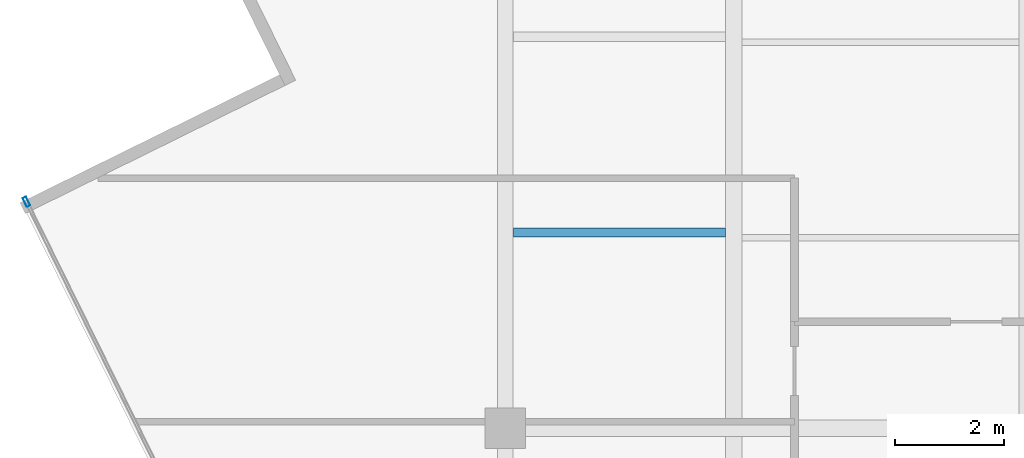
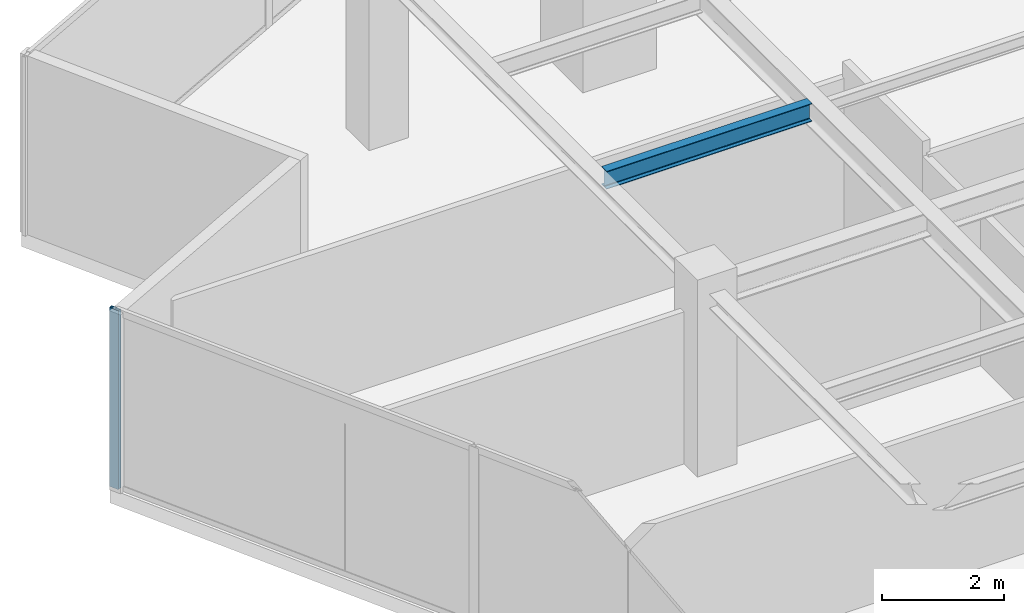
# One storey, part 6 of 22: 1 beam, 1 member, 1 element without a shape of its own.
"""IFC4 building model written with IfcOpenShell, lengths in metres."""

from ifc_helpers import new_model, si_unit, direction, frame, origin, origin_2d, place, context, subcontext, project, spatial, hollow_rectangle, i_section, extrude, source, transform, mapped, material, material_profile, profile_set, type_object, type_shapes, element, aggregate, save


model = new_model("IFC4")

# Units and contexts
model_context = context("Model", 3, precision=1e-05, world=origin(), true_north=direction((0.0, 1.0)))
body_context = subcontext(model_context, "Body", "Model", "MODEL_VIEW")
ifc_project = project(units=[si_unit("LENGTHUNIT", "METRE"), si_unit("AREAUNIT", "SQUARE_METRE"), si_unit("VOLUMEUNIT", "CUBIC_METRE"), si_unit("PLANEANGLEUNIT", "RADIAN"), si_unit("MASSUNIT", "GRAM", prefix="KILO")], contexts=[model_context])

# Site, building, storey
site_placement = place(None, origin())
site = spatial("IfcSite", under=ifc_project, at=site_placement, CompositionType="ELEMENT")
building_placement = place(site_placement, origin())
building = spatial("IfcBuilding", under=site, at=building_placement, Name="Krantzveldt Concourse Tower", CompositionType="ELEMENT")
storey_placement = place(building_placement, frame((0.0, 0.0, 314.800048828125)))
storey = spatial("IfcBuildingStorey", under=building, at=storey_placement, Name="L77", CompositionType="ELEMENT", Elevation=314.800048828125)

# Beam
ifc_material_1 = material(Name="Steel S355JR", Category="steel")
ifc_material_profile_1 = material_profile(ifc_material_1, i_section(OverallWidth=0.169921875, OverallDepth=0.360107421875, WebThickness=0.008056640625, FlangeThickness=0.0126953125, FilletRadius=0.01806640625, at=origin_2d()), Name="Steel S355JR", Category="steel")
ifc_profile_set_1 = profile_set([ifc_material_profile_1], Name="Steel S355JR - IPE 360")
beam_type = type_object("IfcBeamType", Name="BM-J-IPE360", PredefinedType="JOIST", material=ifc_profile_set_1)
shared_shape_1 = source(origin(), body_context, "Body", "SweptSolid", [
    extrude(i_section(OverallWidth=0.169921875, OverallDepth=0.360107421875, WebThickness=0.008056640625, FlangeThickness=0.0126953125, FilletRadius=0.01806640625, at=origin_2d()), origin(), (0.0, 0.0, 1.0), 3.900146484375),
])
type_shapes(beam_type, [shared_shape_1])
beam_placement = place(storey_placement, frame((21.14990234375, 30.300048828125, 3.409912109375), z_axis=(1.0, 0.0, 0.0), x_axis=(0.0, 1.0, 0.0)))
element("IfcBeam", 1, at=beam_placement, inside=storey, type_object=beam_type, Name="L77 Secondary Floor Joist JW-3", PredefinedType="JOIST", context=body_context, shape_type="MappedRepresentation", body=[
    mapped(shared_shape_1, transform((0.0, 0.0, 0.0), x_axis=(1.0, 0.0, 0.0), y_axis=(0.0, 1.0, 0.0), z_axis=(0.0, 0.0, 1.0), scale=1.0)),
])

# Curtain wall, member
ifc_material_2 = material(Name="Anodised aluminium 6063-T6", Category="aluminium")
curtain_wall_type = type_object("IfcCurtainWallType", Name="CW4", PredefinedType="USERDEFINED", material=ifc_material_2)
curtain_wall_placement = place(storey_placement, origin())
curtain_wall = element("IfcCurtainWall", 2, at=curtain_wall_placement, inside=storey, type_object=curtain_wall_type, Name="CW-L77-F04", ObjectType="UNITISED CURTAIN WALL", PredefinedType="USERDEFINED")
ifc_material_profile_2 = material_profile(ifc_material_2, hollow_rectangle(XDim=0.070068359375, YDim=0.179931640625, WallThickness=0.0048828125, at=origin_2d()), Name="Anodised aluminium 6063-T6", Category="aluminium")
ifc_profile_set_2 = profile_set([ifc_material_profile_2], Name="Anodised aluminium 6063-T6 - ALU-MULL 180x70x5")
member_type = type_object("IfcMemberType", Name="CW-MUL-180", PredefinedType="MULLION", material=ifc_profile_set_2)
shared_shape_2 = source(origin(), body_context, "Body", "SweptSolid", [
    extrude(hollow_rectangle(XDim=0.070068359375, YDim=0.179931640625, WallThickness=0.0048828125, at=origin_2d()), origin(), (0.0, 0.0, 1.0), 3.58984375),
])
type_shapes(member_type, [shared_shape_2])
member_placement = place(storey_placement, frame((12.19287109375, 30.86474609375, 0.0), z_axis=(0.0, 0.0, 1.0), x_axis=(0.896872829457, 0.442288511927, 0.0)))
member = element("IfcMember", 3, at=member_placement, type_object=member_type, Name="CW-Z56 mullion 1", PredefinedType="MULLION", context=body_context, shape_type="MappedRepresentation", body=[
    mapped(shared_shape_2, transform((0.0, 0.0, 0.0), x_axis=(1.0, 0.0, 0.0), y_axis=(0.0, 1.0, 0.0), z_axis=(0.0, 0.0, 1.0), scale=1.0)),
])
aggregate(curtain_wall, [member])

save(model, "model.ifc")
